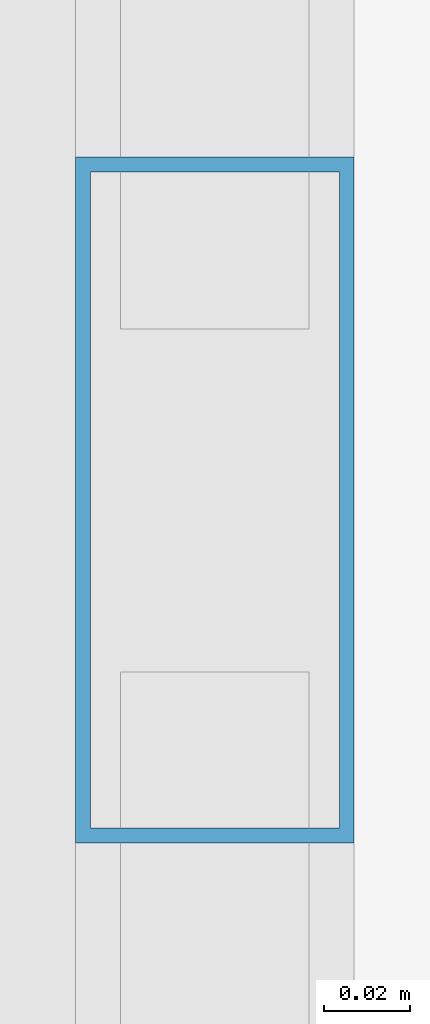
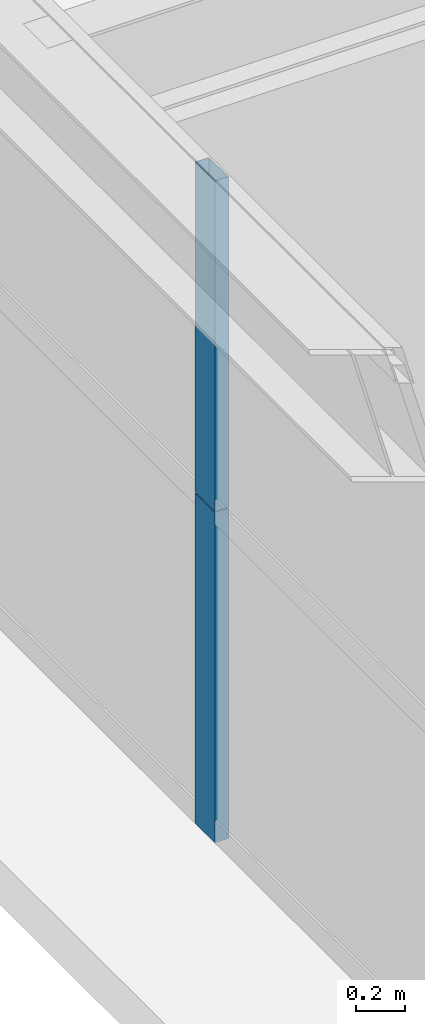
# One storey, part 8 of 38: 2 members, 1 element without a shape of its own.
"""IFC4 building model written with IfcOpenShell, lengths in metres."""

from ifc_helpers import new_model, si_unit, direction, frame, origin, origin_2d, place, context, subcontext, project, spatial, hollow_rectangle, extrude, source, transform, mapped, material, layer, layer_set, material_profile, profile_set, type_object, element, aggregate, save


model = new_model("IFC4")

# Units and contexts
model_context = context("Model", 3, precision=1e-05, world=origin(), true_north=direction((0.0, 1.0)))
body_context = subcontext(model_context, "Body", "Model", "MODEL_VIEW")
ifc_project = project(units=[si_unit("LENGTHUNIT", "METRE"), si_unit("AREAUNIT", "SQUARE_METRE"), si_unit("VOLUMEUNIT", "CUBIC_METRE"), si_unit("PLANEANGLEUNIT", "RADIAN"), si_unit("MASSUNIT", "GRAM", prefix="KILO"), si_unit("THERMODYNAMICTEMPERATUREUNIT", "KELVIN"), si_unit("POWERUNIT", "WATT")], contexts=[model_context])

# Site, building, storey
site_placement = place(None, origin())
site = spatial("IfcSite", under=ifc_project, at=site_placement, CompositionType="ELEMENT")
building_placement = place(site_placement, origin())
building = spatial("IfcBuilding", under=site, at=building_placement, Name="Yuzanri Waterfront Tower", CompositionType="ELEMENT")
storey_placement = place(building_placement, frame((0.0, 0.0, 202.0)))
storey = spatial("IfcBuildingStorey", under=building, at=storey_placement, Name="L53", CompositionType="ELEMENT", Elevation=202.0)

# Curtain wall, members
ifc_material_1 = material(Name="Anodized Architectural Bronze", Category="metal")
ifc_layer = layer(ifc_material_1, 0.159912109375)
ifc_layer_set = layer_set([ifc_layer], Name="Anodized Architectural Bronze")
curtain_wall_type = type_object("IfcCurtainWallType", Name="Anodized Bronze Mid-Rise Residential Acoustic Unitized Curtain Wall 7200", PredefinedType="NOTDEFINED", material=ifc_layer_set)
curtain_wall_placement = place(storey_placement, origin())
curtain_wall = element("IfcCurtainWall", 1, at=curtain_wall_placement, inside=storey, type_object=curtain_wall_type, Name="L53 Curtain Wall CW-L53-WL", PredefinedType="NOTDEFINED")
ifc_material_2 = material(Name="Anodized Architectural Bronze", Category="metal")
ifc_material_profile = material_profile(ifc_material_2, hollow_rectangle(XDim=0.06494140625, YDim=0.159912109375, WallThickness=0.00341796875, at=origin_2d()), Name="CWM 65x160")
ifc_profile_set = profile_set([ifc_material_profile], Name="Anodized Architectural Bronze")
member_type = type_object("IfcMemberType", Name="Anodized Bronze Upper-Zone Curtain-Wall Mullion 65x160", PredefinedType="MULLION", material=ifc_profile_set)
shared_shape = source(origin(), body_context, "Body", "SweptSolid", [
    extrude(hollow_rectangle(XDim=0.06494140625, YDim=0.159912109375, WallThickness=0.00341796875, at=origin_2d()), origin(), (0.0, 0.0, 1.0), 1.637939453125),
])
member_1_placement = place(storey_placement, frame((15.050048828125, 18.22509765625, 0.0), z_axis=(0.0, 0.0, 1.0), x_axis=(1.0, 0.0, 0.0)))
member_1 = element("IfcMember", 2, at=member_1_placement, type_object=member_type, Name="CW-L53-WL Lower Mullion 01", PredefinedType="MULLION", context=body_context, shape_type="MappedRepresentation", body=[
    mapped(shared_shape, transform((0.0, 0.0, 0.0), scale=1.0)),
])
member_2_placement = place(storey_placement, frame((15.050048828125, 18.22509765625, 1.64208984375), z_axis=(0.0, 0.0, 1.0), x_axis=(1.0, 0.0, 0.0)))
member_2 = element("IfcMember", 3, at=member_2_placement, type_object=member_type, Name="CW-L53-WL Upper Mullion 01", PredefinedType="MULLION", context=body_context, shape_type="MappedRepresentation", body=[
    mapped(shared_shape, transform((0.0, 0.0, 0.0), scale=1.0)),
])
aggregate(curtain_wall, [member_1, member_2])

save(model, "model.ifc")
